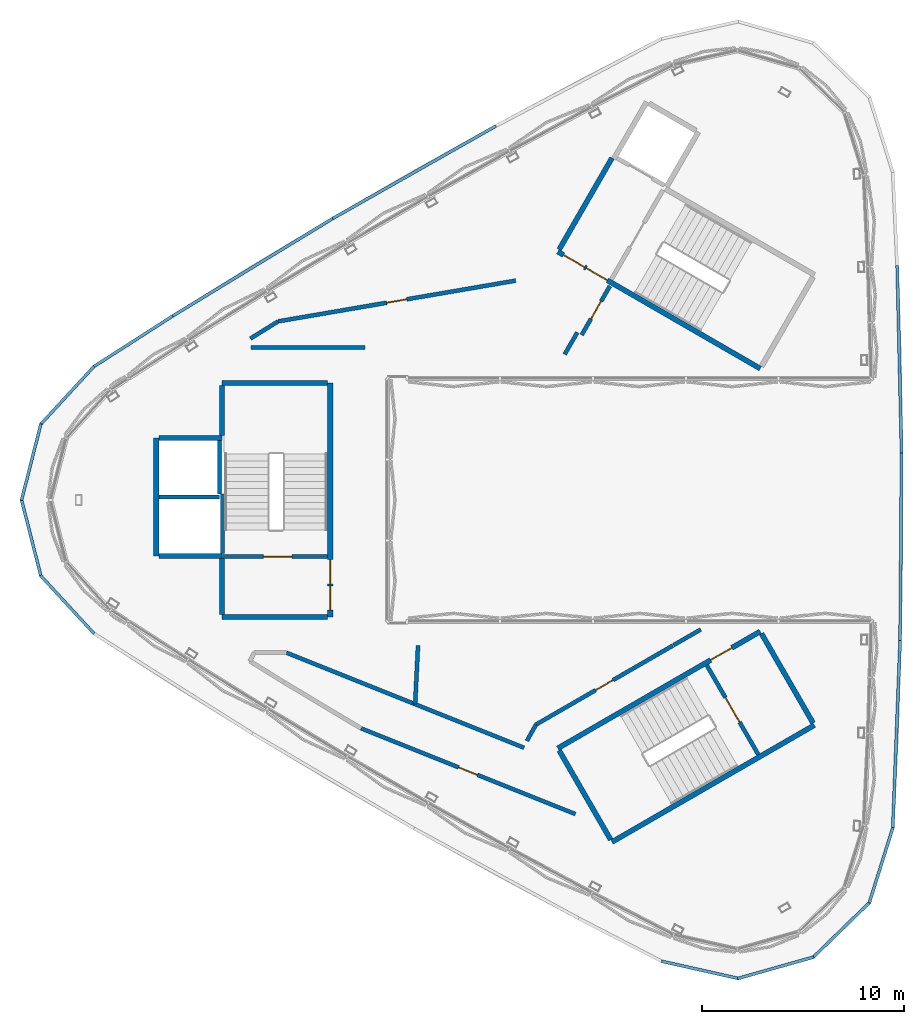
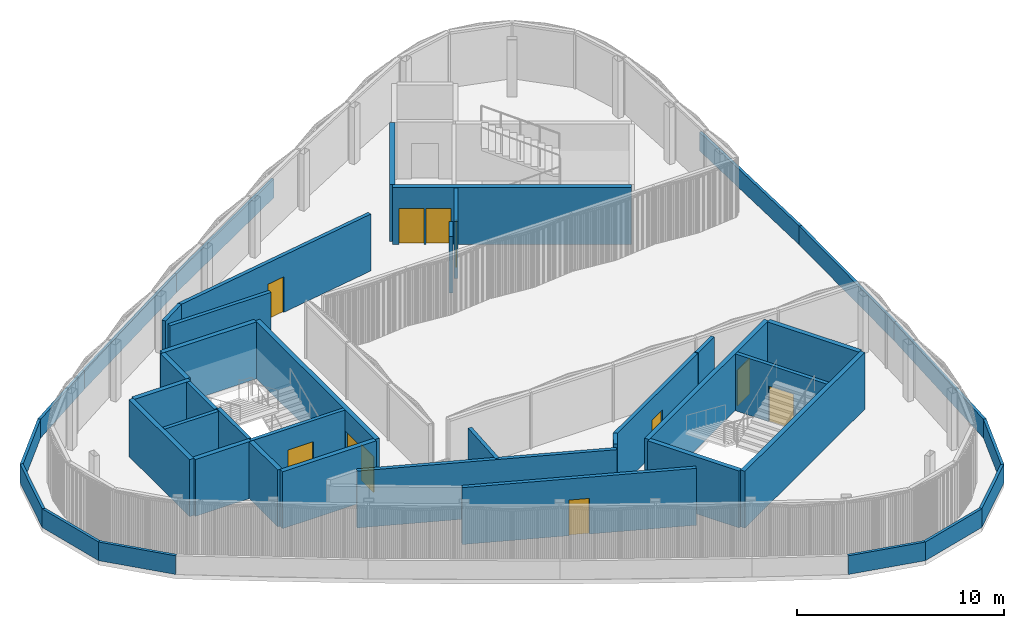
# One storey, part 7 of 16: 44 walls, 11 doors, 11 openings.
"""IFC4 building model written with IfcOpenShell, lengths in metres."""

import ifcopenshell
import ifcopenshell.guid

model = None  # the IFC model being written
_history = None  # IfcOwnerHistory: only IFC2X3 demands one
_inside = {}  # id of a spatial element -> (the spatial element, [elements in it])
_under = {}  # id of a project, library or spatial element -> (it, [spatial elements below it])
_declared = {}  # id of a project -> (the project, [libraries it declares])
_typed = {}  # id of a type object -> (the type object, [elements of that type])
_made_of = {}  # id of a material, layer set ... -> (it, [elements and type objects made of it])


def new_model(schema):
    """Start an empty IFC model of exactly this schema.

    Asked for "IFC4X3", IfcOpenShell would pick the latest addendum, in which some entities
    have other attributes; the version numbers below select the first issue.
    IFC2X3 requires an IfcOwnerHistory on every rooted entity: one is made here for all.
    """
    global model, _history
    if schema == "IFC4X3":
        model = ifcopenshell.file(schema_version=(4, 3, 0, 0))
    else:
        model = ifcopenshell.file(schema=schema)
    _inside.clear()
    _under.clear()
    _declared.clear()
    _typed.clear()
    _made_of.clear()
    _history = None
    if model.schema == "IFC2X3":
        org = make("IfcOrganization", Name="unknown")
        user = make(
            "IfcPersonAndOrganization",
            ThePerson=make("IfcPerson", FamilyName="unknown"),
            TheOrganization=org,
        )
        app = make(
            "IfcApplication",
            ApplicationDeveloper=org,
            Version="unknown",
            ApplicationFullName="unknown",
            ApplicationIdentifier="unknown",
        )
        _history = make(
            "IfcOwnerHistory",
            OwningUser=user,
            OwningApplication=app,
            ChangeAction="ADDED",
            CreationDate=0,
        )
    return model


def make(cls, **values):
    """One entity of the class cls with the attributes given. An attribute that is None is left unset."""
    return model.create_entity(
        cls, **{name: value for name, value in values.items() if value is not None}
    )


def rooted(cls, **values):
    """An entity with a GlobalId (a new one), such as an element, a storey or a relation."""
    return make(cls, GlobalId=ifcopenshell.guid.new(), OwnerHistory=_history, **values)


def si_unit(unit_type, name, prefix=None):
    """IfcSIUnit, for example si_unit("LENGTHUNIT", "METRE", prefix="MILLI")."""
    return make("IfcSIUnit", UnitType=unit_type, Prefix=prefix, Name=name)


def assignment(units):
    """IfcUnitAssignment: the units of a project."""
    return None if units is None else make("IfcUnitAssignment", Units=units)


def point(xyz):
    """IfcCartesianPoint."""
    return None if xyz is None else make("IfcCartesianPoint", Coordinates=xyz)


def direction(xyz):
    """IfcDirection."""
    return None if xyz is None else make("IfcDirection", DirectionRatios=xyz)


def frame(location, z_axis=None, x_axis=None):
    """IfcAxis2Placement3D, a coordinate frame: its origin and axes. An axis left out is left unset."""
    return make(
        "IfcAxis2Placement3D",
        Location=point(location),
        Axis=direction(z_axis),
        RefDirection=direction(x_axis),
    )


def frame_2d(location, x_axis=None):
    """IfcAxis2Placement2D, a coordinate frame in the plane: its origin and x axis."""
    return make(
        "IfcAxis2Placement2D", Location=point(location), RefDirection=direction(x_axis)
    )


def origin():
    """The frame at (0, 0, 0) with its axes left unset."""
    return frame((0.0, 0.0, 0.0))


def place(relative_to, where):
    """IfcLocalPlacement: puts the frame where relative to a parent placement (None: the world)."""
    return make(
        "IfcLocalPlacement", PlacementRelTo=relative_to, RelativePlacement=where
    )


def context(
    kind, dimensions, precision=None, world=None, true_north=None, identifier=None
):
    """IfcGeometricRepresentationContext, for example the 3D "Model" context."""
    return make(
        "IfcGeometricRepresentationContext",
        ContextIdentifier=identifier,
        ContextType=kind,
        CoordinateSpaceDimension=dimensions,
        Precision=precision,
        WorldCoordinateSystem=world,
        TrueNorth=true_north,
    )


def subcontext(parent, identifier, kind, view, scale=None):
    """IfcGeometricRepresentationSubContext, for example "Body" below "Model"."""
    return make(
        "IfcGeometricRepresentationSubContext",
        ContextIdentifier=identifier,
        ContextType=kind,
        ParentContext=parent,
        TargetScale=scale,
        TargetView=view,
    )


def project(units=None, contexts=None):
    """IfcProject with its units and contexts."""
    return rooted(
        "IfcProject",
        Name="project",
        RepresentationContexts=contexts,
        UnitsInContext=assignment(units),
    )


def spatial(cls, under=None, at=None, **own):
    """A site, building, storey or space (cls), placed at a placement, below another one or the project."""
    s = rooted(cls, ObjectPlacement=at, **own)
    if under is not None:
        _under.setdefault(under.id(), (under, []))[1].append(s)
    return s


def profile(cls, at=None, kind="AREA", **sizes):
    """A parametric profile (cls). Its sizes go by their IFC names, for example OverallWidth=200.0."""
    return make(cls, ProfileType=kind, Position=at, **sizes)


def rectangle(**sizes):
    """IfcRectangleProfileDef."""
    return profile("IfcRectangleProfileDef", **sizes)


def extrude(swept, where, along, depth):
    """IfcExtrudedAreaSolid: the profile swept, set in the frame where, extruded along a direction by depth."""
    return make(
        "IfcExtrudedAreaSolid",
        SweptArea=swept,
        Position=where,
        ExtrudedDirection=direction(along),
        Depth=depth,
    )


def shape(context_of_items, identifier, shape_type, items):
    """IfcShapeRepresentation: the items that make up one representation, for example the "Body"."""
    return make(
        "IfcShapeRepresentation",
        ContextOfItems=context_of_items,
        RepresentationIdentifier=identifier,
        RepresentationType=shape_type,
        Items=items,
    )


def material(Name=None, Category=None):
    """IfcMaterial."""
    return make("IfcMaterial", Name=Name, Category=Category)


def layer(
    of_material, thickness, ventilated=None, Name=None, Category=None, Priority=None
):
    """IfcMaterialLayer: one layer of a wall or slab, of a material (None: an air gap)."""
    return make(
        "IfcMaterialLayer",
        Material=of_material,
        LayerThickness=thickness,
        IsVentilated=ventilated,
        Name=Name,
        Category=Category,
        Priority=Priority,
    )


def layer_set(layers, Name=None):
    """IfcMaterialLayerSet."""
    return make("IfcMaterialLayerSet", MaterialLayers=layers, LayerSetName=Name)


def made_of(thing, what):
    """Note that an element or type object is made of a material, layer set ...; save() writes the relation."""
    if what is not None:
        _made_of.setdefault(what.id(), (what, []))[1].append(thing)
    return thing


def type_object(cls, material=None, **own):
    """A type object (cls), such as IfcWallType, which elements share."""
    return made_of(rooted(cls, **own), material)


def element(
    cls,
    number,
    at=None,
    inside=None,
    cuts=None,
    type_object=None,
    material=None,
    context=None,
    identifier="Body",
    shape_type=None,
    held_by="IfcProductDefinitionShape",
    body=None,
    shapes=None,
    **own,
):
    """One element of the class cls, such as IfcWall. Its Tag is "e" and its number.

    at: its placement. inside: the storey or other place that contains it. cuts: it is an
    opening in that element (IfcRelVoidsElement). A single representation is given by context,
    identifier, shape_type and body (its items); several are given by shapes. held_by: the class
    of the entity that holds the representations. save() writes the other relations.
    """
    e = rooted(cls, Tag="e%d" % number, ObjectPlacement=at, **own)
    if body is not None:
        shapes = [shape(context, identifier, shape_type, body)]
    if shapes is not None:
        e.Representation = make(held_by, Representations=shapes)
    if inside is not None:
        _inside.setdefault(inside.id(), (inside, []))[1].append(e)
    if cuts is not None:
        rooted(
            "IfcRelVoidsElement", RelatingBuildingElement=cuts, RelatedOpeningElement=e
        )
    if type_object is not None:
        _typed.setdefault(type_object.id(), (type_object, []))[1].append(e)
    return made_of(e, material)


def fill(opening, filler):
    """IfcRelFillsElement: the door or window that sits in an opening."""
    return rooted(
        "IfcRelFillsElement",
        RelatingOpeningElement=opening,
        RelatedBuildingElement=filler,
    )


def aggregate(whole, parts):
    """IfcRelAggregates: a whole, such as a stair, and the parts it consists of."""
    return rooted("IfcRelAggregates", RelatingObject=whole, RelatedObjects=parts)


def save(model, path):
    """Write the relations noted so far, then the file.

    IfcRelAggregates (storeys below a building ...), IfcRelContainedInSpatialStructure (elements
    in a storey), IfcRelDefinesByType, IfcRelAssociatesMaterial and IfcRelDeclares: one each for
    every whole, place, type object, material and project.
    """
    for whole, parts in _under.values():
        aggregate(whole, parts)
    for where, things in _inside.values():
        rooted(
            "IfcRelContainedInSpatialStructure",
            RelatedElements=things,
            RelatingStructure=where,
        )
    for kind, things in _typed.values():
        rooted("IfcRelDefinesByType", RelatedObjects=things, RelatingType=kind)
    for what, things in _made_of.values():
        rooted("IfcRelAssociatesMaterial", RelatedObjects=things, RelatingMaterial=what)
    for by, libraries in _declared.values():
        rooted("IfcRelDeclares", RelatingContext=by, RelatedDefinitions=libraries)
    model.write(path)


model = new_model("IFC4")

# Units and contexts
model_context = context("Model", 3, precision=1e-05, world=origin(), true_north=direction((0.0, 1.0)))
body_context = subcontext(model_context, "Body", "Model", "MODEL_VIEW")
ifc_project = project(units=[si_unit("LENGTHUNIT", "METRE"), si_unit("AREAUNIT", "SQUARE_METRE"), si_unit("VOLUMEUNIT", "CUBIC_METRE"), si_unit("PLANEANGLEUNIT", "RADIAN"), si_unit("MASSUNIT", "GRAM", prefix="KILO")], contexts=[model_context])

# Site, building, storey
site_placement = place(None, origin())
site = spatial("IfcSite", under=ifc_project, at=site_placement, CompositionType="ELEMENT")
building_placement = place(site_placement, origin())
building = spatial("IfcBuilding", under=site, at=building_placement, Name="Tamra Quay Hotel Tower", CompositionType="ELEMENT")
storey_placement = place(building_placement, frame((0.0, 0.0, 320.60009765625)))
storey = spatial("IfcBuildingStorey", under=building, at=storey_placement, Name="Roof crown 1", CompositionType="ELEMENT", Elevation=320.60009765625)

# Wall, opening, door
ifc_material_1 = material(Name="Concrete M70", Category="concrete")
ifc_layer_1 = layer(ifc_material_1, 0.199951171875)
ifc_layer_set_1 = layer_set([ifc_layer_1], Name="Concrete M70 core wall 200")
wall_type_1 = type_object("IfcWallType", Name="Concrete M70 core wall 200", PredefinedType="SHEAR", material=ifc_layer_set_1)
wall_1_placement = place(storey_placement, frame((-10.96337890625, -2.800048828125, 0.0), z_axis=(0.0, 0.0, 1.0), x_axis=(-1.0, 0.0, 0.0)))
wall_1 = element("IfcWall", 1, at=wall_1_placement, inside=storey, type_object=wall_type_1, Name="CW2", PredefinedType="SHEAR", context=body_context, shape_type="SweptSolid", body=[
    extrude(rectangle(XDim=5.19873046875, YDim=0.199951171875, at=frame_2d((2.599365234375, 0.0))), origin(), (0.0, 0.0, 1.0), 3.349853515625),
])
opening_1_placement = place(wall_1_placement, frame((1.77392578125, 0.0, 0.0)))
opening_1 = element("IfcOpeningElement", 2, at=opening_1_placement, cuts=wall_1, Name="Opening FD2", PredefinedType="OPENING", context=body_context, shape_type="SweptSolid", body=[
    extrude(rectangle(XDim=1.39990234375, YDim=2.10009765625, at=frame_2d((0.699951171875, 1.050048828125))), frame((0.0, 0.10986328125, 0.0), z_axis=(0.0, -1.0, 0.0), x_axis=(1.0, 0.0, 0.0)), (0.0, 0.0, 1.0), 0.219970703125),
])
ifc_material_2 = material(Name="Core door FD2 1400x2100 RH")
door_type_1 = type_object("IfcDoorType", Name="Core door FD2 1400x2100 RH", OperationType="NOTDEFINED", PredefinedType="DOOR", material=ifc_material_2)
door_1_placement = place(opening_1_placement, origin())
door_1 = element("IfcDoor", 3, at=door_1_placement, inside=storey, type_object=door_type_1, Name="FD2", OperationType="SINGLE_SWING_RIGHT", OverallHeight=2.10009765625, OverallWidth=1.39990234375, PredefinedType="DOOR", context=body_context, shape_type="SweptSolid", body=[
    extrude(rectangle(XDim=1.39990234375, YDim=2.10009765625, at=frame_2d((0.699951171875, 1.050048828125))), frame((0.0, 0.02490234375, 0.0), z_axis=(0.0, -1.0, 0.0), x_axis=(1.0, 0.0, 0.0)), (0.0, 0.0, 1.0), 0.050048828125),
])
fill(opening_1, door_1)

# Walls
wall_2_placement = place(storey_placement, frame((-16.162109375, 0.300048828125, 0.0), z_axis=(0.0, 0.0, 1.0), x_axis=(0.0, -1.0, 0.0)))
element("IfcWall", 4, at=wall_2_placement, inside=storey, type_object=wall_type_1, Name="CW2", PredefinedType="SHEAR", context=body_context, shape_type="SweptSolid", body=[
    extrude(rectangle(XDim=2.95068359375, YDim=0.199951171875, at=frame_2d((1.475341796875, 0.0))), origin(), (0.0, 0.0, 1.0), 3.349853515625),
])
wall_3_placement = place(storey_placement, frame((-16.312255859375, 0.14990234375, 0.0), z_axis=(0.0, 0.0, 1.0), x_axis=(-1.0, 0.0, 0.0)))
element("IfcWall", 5, at=wall_3_placement, inside=storey, type_object=wall_type_1, Name="CW2", PredefinedType="SHEAR", context=body_context, shape_type="SweptSolid", body=[
    extrude(rectangle(XDim=2.9990234375, YDim=0.199951171875, at=frame_2d((1.49951171875, 0.0))), origin(), (0.0, 0.0, 1.0), 3.349853515625),
])
wall_4_placement = place(storey_placement, frame((-16.312255859375, 2.948974609375, 0.0), z_axis=(0.0, 0.0, 1.0), x_axis=(0.0, -1.0, 0.0)))
element("IfcWall", 6, at=wall_4_placement, inside=storey, type_object=wall_type_1, Name="CW2", PredefinedType="SHEAR", context=body_context, shape_type="SweptSolid", body=[
    extrude(rectangle(XDim=2.65087890625, YDim=0.199951171875, at=frame_2d((1.325439453125, 0.0))), origin(), (0.0, 0.0, 1.0), 3.349853515625),
])

# Wall, opening, door
wall_5_placement = place(storey_placement, frame((7.776611328125, -8.16943359375, 0.0), z_axis=(0.0, 0.0, 1.0), x_axis=(0.500007101845, -0.866021303493, 0.0)))
wall_5 = element("IfcWall", 7, at=wall_5_placement, inside=storey, type_object=wall_type_1, Name="CW2", PredefinedType="SHEAR", context=body_context, shape_type="SweptSolid", body=[
    extrude(rectangle(XDim=5.09814453125, YDim=0.199951171875, at=frame_2d((2.549072265625, 0.0))), origin(), (0.0, 0.0, 1.0), 3.349853515625),
])
opening_2_placement = place(wall_5_placement, frame((1.84912109375, 0.0, 0.0)))
opening_2 = element("IfcOpeningElement", 8, at=opening_2_placement, cuts=wall_5, Name="Opening FD2", PredefinedType="OPENING", context=body_context, shape_type="SweptSolid", body=[
    extrude(rectangle(XDim=1.39990234375, YDim=2.10009765625, at=frame_2d((0.699951171875, 1.050048828125))), frame((0.0, 0.10986328125, 0.0), z_axis=(0.0, -1.0, 0.0), x_axis=(1.0, 0.0, 0.0)), (0.0, 0.0, 1.0), 0.219970703125),
])
door_2_placement = place(opening_2_placement, origin())
door_2 = element("IfcDoor", 9, at=door_2_placement, inside=storey, type_object=door_type_1, Name="FD2", OperationType="SINGLE_SWING_RIGHT", OverallHeight=2.10009765625, OverallWidth=1.39990234375, PredefinedType="DOOR", context=body_context, shape_type="SweptSolid", body=[
    extrude(rectangle(XDim=1.39990234375, YDim=2.10009765625, at=frame_2d((0.699951171875, 1.050048828125))), frame((0.0, 0.02490234375, 0.0), z_axis=(0.0, -1.0, 0.0), x_axis=(1.0, 0.0, 0.0)), (0.0, 0.0, 1.0), 0.050048828125),
])
fill(opening_2, door_2)

# Wall, openings, doors
ifc_layer_2 = layer(ifc_material_1, 0.25)
ifc_layer_set_2 = layer_set([ifc_layer_2], Name="Concrete M70 core wall 250")
wall_type_2 = type_object("IfcWallType", Name="Concrete M70 core wall 250", PredefinedType="SHEAR", material=ifc_layer_set_2)
wall_6_placement = place(storey_placement, frame((-10.83740234375, 5.77490234375, 0.0), z_axis=(0.0, 0.0, 1.0), x_axis=(0.0, -1.0, 0.0)))
wall_6 = element("IfcWall", 10, at=wall_6_placement, inside=storey, type_object=wall_type_2, Name="CW1", PredefinedType="SHEAR", context=body_context, shape_type="SweptSolid", body=[
    extrude(rectangle(XDim=11.5498046875, YDim=0.25, at=frame_2d((5.77490234375, 0.0))), origin(), (0.0, 0.0, 1.0), 3.349853515625),
])
opening_3_placement = place(wall_6_placement, frame((10.02490234375, 0.0, 0.0)))
opening_3 = element("IfcOpeningElement", 11, at=opening_3_placement, cuts=wall_6, Name="Opening FD1", PredefinedType="OPENING", context=body_context, shape_type="SweptSolid", body=[
    extrude(rectangle(XDim=1.199951171875, YDim=2.10009765625, at=frame_2d((0.60009765625, 1.050048828125))), frame((0.0, 0.135009765625, 0.0), z_axis=(0.0, -1.0, 0.0), x_axis=(1.0, 0.0, 0.0)), (0.0, 0.0, 1.0), 0.27001953125),
])
opening_4_placement = place(wall_6_placement, frame((8.72509765625, 0.0, 0.0)))
opening_4 = element("IfcOpeningElement", 12, at=opening_4_placement, cuts=wall_6, Name="Opening FD1", PredefinedType="OPENING", context=body_context, shape_type="SweptSolid", body=[
    extrude(rectangle(XDim=1.199951171875, YDim=2.10009765625, at=frame_2d((0.60009765625, 1.050048828125))), frame((0.0, 0.135009765625, 0.0), z_axis=(0.0, -1.0, 0.0), x_axis=(1.0, 0.0, 0.0)), (0.0, 0.0, 1.0), 0.27001953125),
])
ifc_material_3 = material(Name="Core door FD1 1200x2100 LH")
door_type_2 = type_object("IfcDoorType", Name="Core door FD1 1200x2100 LH", OperationType="NOTDEFINED", PredefinedType="DOOR", material=ifc_material_3)
door_3_placement = place(opening_3_placement, origin())
door_3 = element("IfcDoor", 13, at=door_3_placement, inside=storey, type_object=door_type_2, Name="FD1", OperationType="SINGLE_SWING_LEFT", OverallHeight=2.10009765625, OverallWidth=1.199951171875, PredefinedType="DOOR", context=body_context, shape_type="SweptSolid", body=[
    extrude(rectangle(XDim=1.199951171875, YDim=2.10009765625, at=frame_2d((0.60009765625, 1.050048828125))), frame((0.0, 0.02490234375, 0.0), z_axis=(0.0, -1.0, 0.0), x_axis=(1.0, 0.0, 0.0)), (0.0, 0.0, 1.0), 0.050048828125),
])
fill(opening_3, door_3)
ifc_material_4 = material(Name="Core door FD1 1200x2100 RH")
door_type_3 = type_object("IfcDoorType", Name="Core door FD1 1200x2100 RH", OperationType="NOTDEFINED", PredefinedType="DOOR", material=ifc_material_4)
door_4_placement = place(opening_4_placement, origin())
door_4 = element("IfcDoor", 14, at=door_4_placement, inside=storey, type_object=door_type_3, Name="FD1", OperationType="SINGLE_SWING_RIGHT", OverallHeight=2.10009765625, OverallWidth=1.199951171875, PredefinedType="DOOR", context=body_context, shape_type="SweptSolid", body=[
    extrude(rectangle(XDim=1.199951171875, YDim=2.10009765625, at=frame_2d((0.60009765625, 1.050048828125))), frame((0.0, 0.02490234375, 0.0), z_axis=(0.0, -1.0, 0.0), x_axis=(1.0, 0.0, 0.0)), (0.0, 0.0, 1.0), 0.050048828125),
])
fill(opening_4, door_4)

# Walls
wall_7_placement = place(storey_placement, frame((-19.437255859375, -2.77490234375, 0.0), z_axis=(0.0, 0.0, 1.0), x_axis=(0.0, 1.0, 0.0)))
element("IfcWall", 15, at=wall_7_placement, inside=storey, type_object=wall_type_2, Name="CW1", PredefinedType="SHEAR", context=body_context, shape_type="SweptSolid", body=[
    extrude(rectangle(XDim=5.849853515625, YDim=0.25, at=frame_2d((2.9248046875, 0.0))), origin(), (0.0, 0.0, 1.0), 3.349853515625),
])
for number, where, z_axis, x_axis, name in (
    (16, (-10.962646484375, -5.77490234375, 0.0), (0.0, 0.0, 1.0), (-1.0, 0.0, 0.0), "CW1"),
    (17, (-16.187255859375, 5.77490234375, 0.0), (0.0, 0.0, 1.0), (1.0, 0.0, 0.0), "CW1"),
):
    element("IfcWall", number, at=place(storey_placement, frame(where, z_axis=z_axis, x_axis=x_axis)), inside=storey, type_object=wall_type_2, Name=name, PredefinedType="SHEAR", context=body_context, shape_type="SweptSolid", body=[
        extrude(rectangle(XDim=5.224609375, YDim=0.25, at=frame_2d((2.6123046875, 0.0))), origin(), (0.0, 0.0, 1.0), 3.349853515625),
    ])
for number, where, z_axis, x_axis, name in (
    (18, (-16.187255859375, -2.77490234375, 0.0), (0.0, 0.0, 1.0), (-1.0, 0.0, 0.0), "CW1"),
    (19, (-19.311767578125, 3.074951171875, 0.0), (0.0, 0.0, 1.0), (1.0, 0.0, 0.0), "CW1"),
):
    element("IfcWall", number, at=place(storey_placement, frame(where, z_axis=z_axis, x_axis=x_axis)), inside=storey, type_object=wall_type_2, Name=name, PredefinedType="SHEAR", context=body_context, shape_type="SweptSolid", body=[
        extrude(rectangle(XDim=3.12451171875, YDim=0.25, at=frame_2d((1.562255859375, 0.0))), origin(), (0.0, 0.0, 1.0), 3.349853515625),
    ])
wall_8_placement = place(storey_placement, frame((-16.187255859375, -5.649658203125, 0.0), z_axis=(0.0, 0.0, 1.0), x_axis=(0.0, 1.0, 0.0)))
element("IfcWall", 20, at=wall_8_placement, inside=storey, type_object=wall_type_2, Name="CW1", PredefinedType="SHEAR", context=body_context, shape_type="SweptSolid", body=[
    extrude(rectangle(XDim=2.749267578125, YDim=0.25, at=frame_2d((1.37451171875, 0.0))), origin(), (0.0, 0.0, 1.0), 3.349853515625),
])
wall_9_placement = place(storey_placement, frame((-16.187255859375, 3.200439453125, 0.0), z_axis=(0.0, 0.0, 1.0), x_axis=(0.0, 1.0, 0.0)))
element("IfcWall", 21, at=wall_9_placement, inside=storey, type_object=wall_type_2, Name="CW1", PredefinedType="SHEAR", context=body_context, shape_type="SweptSolid", body=[
    extrude(rectangle(XDim=2.44921875, YDim=0.25, at=frame_2d((1.224609375, 0.0))), origin(), (0.0, 0.0, 1.0), 3.349853515625),
])

# Wall, openings, doors
wall_10_placement = place(storey_placement, frame((10.419921875, 6.497802734375, 0.0), z_axis=(0.0, 0.0, 1.0), x_axis=(-0.866021906294, 0.500006057782, 0.0)))
wall_10 = element("IfcWall", 22, at=wall_10_placement, inside=storey, type_object=wall_type_2, Name="CW1", PredefinedType="SHEAR", context=body_context, shape_type="SweptSolid", body=[
    extrude(rectangle(XDim=11.550048828125, YDim=0.25, at=frame_2d((5.77490234375, 0.0))), origin(), (0.0, 0.0, 1.0), 3.349853515625),
])
opening_5_placement = place(wall_10_placement, frame((10.02490234375, 0.0, 0.0)))
opening_5 = element("IfcOpeningElement", 23, at=opening_5_placement, cuts=wall_10, Name="Opening FD1", PredefinedType="OPENING", context=body_context, shape_type="SweptSolid", body=[
    extrude(rectangle(XDim=1.199951171875, YDim=2.10009765625, at=frame_2d((0.60009765625, 1.050048828125))), frame((0.0, 0.135009765625, 0.0), z_axis=(0.0, -1.0, 0.0), x_axis=(1.0, 0.0, 0.0)), (0.0, 0.0, 1.0), 0.27001953125),
])
opening_6_placement = place(wall_10_placement, frame((8.724853515625, 0.0, 0.0)))
opening_6 = element("IfcOpeningElement", 24, at=opening_6_placement, cuts=wall_10, Name="Opening FD1", PredefinedType="OPENING", context=body_context, shape_type="SweptSolid", body=[
    extrude(rectangle(XDim=1.199951171875, YDim=2.10009765625, at=frame_2d((0.60009765625, 1.050048828125))), frame((0.0, 0.135009765625, 0.0), z_axis=(0.0, -1.0, 0.0), x_axis=(1.0, 0.0, 0.0)), (0.0, 0.0, 1.0), 0.27001953125),
])
door_5_placement = place(opening_5_placement, origin())
door_5 = element("IfcDoor", 25, at=door_5_placement, inside=storey, type_object=door_type_2, Name="FD1", OperationType="SINGLE_SWING_LEFT", OverallHeight=2.10009765625, OverallWidth=1.199951171875, PredefinedType="DOOR", context=body_context, shape_type="SweptSolid", body=[
    extrude(rectangle(XDim=1.199951171875, YDim=2.10009765625, at=frame_2d((0.60009765625, 1.050048828125))), frame((0.0, 0.02490234375, 0.0), z_axis=(0.0, -1.0, 0.0), x_axis=(1.0, 0.0, 0.0)), (0.0, 0.0, 1.0), 0.050048828125),
])
fill(opening_5, door_5)
door_6_placement = place(opening_6_placement, origin())
door_6 = element("IfcDoor", 26, at=door_6_placement, inside=storey, type_object=door_type_3, Name="FD1", OperationType="SINGLE_SWING_RIGHT", OverallHeight=2.10009765625, OverallWidth=1.199951171875, PredefinedType="DOOR", context=body_context, shape_type="SweptSolid", body=[
    extrude(rectangle(XDim=1.199951171875, YDim=2.10009765625, at=frame_2d((0.60009765625, 1.050048828125))), frame((0.0, 0.02490234375, 0.0), z_axis=(0.0, -1.0, 0.0), x_axis=(1.0, 0.0, 0.0)), (0.0, 0.0, 1.0), 0.050048828125),
])
fill(opening_6, door_6)

# Wall
wall_11_placement = place(storey_placement, frame((0.47998046875, 12.38134765625, 0.0), z_axis=(0.0, 0.0, 1.0), x_axis=(0.49999885962, 0.866026062182, 0.0)))
element("IfcWall", 27, at=wall_11_placement, inside=storey, type_object=wall_type_2, Name="CW1", PredefinedType="SHEAR", context=body_context, shape_type="SweptSolid", body=[
    extrude(rectangle(XDim=5.224609375, YDim=0.25, at=frame_2d((2.6123046875, 0.0))), origin(), (0.0, 0.0, 1.0), 3.349853515625),
])

# Wall, opening, door
wall_12_placement = place(storey_placement, frame((0.417236328125, -12.27294921875, 0.0), z_axis=(0.0, 0.0, 1.0), x_axis=(0.866021906294, 0.500006057782, 0.0)))
wall_12 = element("IfcWall", 28, at=wall_12_placement, inside=storey, type_object=wall_type_2, Name="CW1", PredefinedType="SHEAR", context=body_context, shape_type="SweptSolid", body=[
    extrude(rectangle(XDim=11.550048828125, YDim=0.25, at=frame_2d((5.77490234375, 0.0))), origin(), (0.0, 0.0, 1.0), 3.349853515625),
])
opening_7_placement = place(wall_12_placement, frame((8.725341796875, 0.0, 0.0)))
opening_7 = element("IfcOpeningElement", 29, at=opening_7_placement, cuts=wall_12, Name="Opening FD1", PredefinedType="OPENING", context=body_context, shape_type="SweptSolid", body=[
    extrude(rectangle(XDim=1.199951171875, YDim=2.10009765625, at=frame_2d((0.60009765625, 1.050048828125))), frame((0.0, 0.135009765625, 0.0), z_axis=(0.0, -1.0, 0.0), x_axis=(1.0, 0.0, 0.0)), (0.0, 0.0, 1.0), 0.27001953125),
])
door_7_placement = place(opening_7_placement, origin())
door_7 = element("IfcDoor", 30, at=door_7_placement, inside=storey, type_object=door_type_2, Name="FD1", OperationType="SINGLE_SWING_LEFT", OverallHeight=2.10009765625, OverallWidth=1.199951171875, PredefinedType="DOOR", context=body_context, shape_type="SweptSolid", body=[
    extrude(rectangle(XDim=1.199951171875, YDim=2.10009765625, at=frame_2d((0.60009765625, 1.050048828125))), frame((0.0, 0.02490234375, 0.0), z_axis=(0.0, -1.0, 0.0), x_axis=(1.0, 0.0, 0.0)), (0.0, 0.0, 1.0), 0.050048828125),
])
fill(opening_7, door_7)

# Walls
wall_13_placement = place(storey_placement, frame((13.094970703125, -11.131103515625, 0.0), z_axis=(0.0, 0.0, 1.0), x_axis=(-0.866031059098, -0.499990204581, 0.0)))
element("IfcWall", 31, at=wall_13_placement, inside=storey, type_object=wall_type_2, Name="CW1", PredefinedType="SHEAR", context=body_context, shape_type="SweptSolid", body=[
    extrude(rectangle(XDim=11.550048828125, YDim=0.25, at=frame_2d((5.77490234375, 0.0))), origin(), (0.0, 0.0, 1.0), 3.349853515625),
])
wall_14_placement = place(storey_placement, frame((3.029541015625, -16.797607421875, 0.0), z_axis=(0.0, 0.0, 1.0), x_axis=(-0.499975258871, 0.866039687611, 0.0)))
element("IfcWall", 32, at=wall_14_placement, inside=storey, type_object=wall_type_2, Name="CW1", PredefinedType="SHEAR", context=body_context, shape_type="SweptSolid", body=[
    extrude(rectangle(XDim=5.099365234375, YDim=0.25, at=frame_2d((2.5498046875, 0.0))), origin(), (0.0, 0.0, 1.0), 3.349853515625),
])
wall_15_placement = place(storey_placement, frame((10.482666015625, -6.6064453125, 0.0), z_axis=(0.0, 0.0, 1.0), x_axis=(0.499995990076, -0.866027718903, 0.0)))
element("IfcWall", 33, at=wall_15_placement, inside=storey, type_object=wall_type_2, Name="CW1", PredefinedType="SHEAR", context=body_context, shape_type="SweptSolid", body=[
    extrude(rectangle(XDim=5.09912109375, YDim=0.25, at=frame_2d((2.549560546875, 0.0))), origin(), (0.0, 0.0, 1.0), 3.349853515625),
])
ifc_material_5 = material(Name="Reinforced concrete M60 with render", Category="concrete")
ifc_layer_3 = layer(ifc_material_5, 0.14990234375)
ifc_layer_set_3 = layer_set([ifc_layer_3], Name="PARAPET WALL 150")
wall_type_3 = type_object("IfcWallType", Name="PARAPET WALL 150", PredefinedType="PARAPET", material=ifc_layer_set_3)
wall_16_placement = place(storey_placement, frame((17.336669921875, -6.950927734375, 0.0), z_axis=(0.0, 0.0, 1.0), x_axis=(-0.039023693981, -0.99923828555, 0.0)))
element("IfcWall", 34, at=wall_16_placement, inside=storey, type_object=wall_type_3, Name="PW0", PredefinedType="PARAPET", context=body_context, shape_type="SweptSolid", body=[
    extrude(rectangle(XDim=9.271728515625, YDim=0.14990234375, at=frame_2d((4.6357421875, 0.0))), origin(), (0.0, 0.0, 1.0), 1.099853515625),
])
wall_17_placement = place(storey_placement, frame((17.4091796875, 2.31884765625, 0.0), z_axis=(0.0, 0.0, 1.0), x_axis=(-0.007819872009, -0.999969424333, 0.0)))
element("IfcWall", 35, at=wall_17_placement, inside=storey, type_object=wall_type_3, Name="PW0", PredefinedType="PARAPET", context=body_context, shape_type="SweptSolid", body=[
    extrude(rectangle(XDim=9.2724609375, YDim=0.14990234375, at=frame_2d((4.63623046875, 0.0))), origin(), (0.0, 0.0, 1.0), 1.099853515625),
])
wall_18_placement = place(storey_placement, frame((17.19189453125, 11.5849609375, 0.0), z_axis=(0.0, 0.0, 1.0), x_axis=(0.023436822641, -0.999725319948, 0.0)))
element("IfcWall", 36, at=wall_18_placement, inside=storey, type_object=wall_type_3, Name="PW0", PredefinedType="PARAPET", context=body_context, shape_type="SweptSolid", body=[
    extrude(rectangle(XDim=9.27099609375, YDim=0.14990234375, at=frame_2d((4.635498046875, 0.0))), origin(), (0.0, 0.0, 1.0), 1.099853515625),
])
wall_19_placement = place(storey_placement, frame((-10.712646484375, 13.917236328125, 0.0), z_axis=(0.0, 0.0, 1.0), x_axis=(0.869910355928, 0.49320986674, 0.0)))
element("IfcWall", 37, at=wall_19_placement, inside=storey, type_object=wall_type_3, Name="PW0", PredefinedType="PARAPET", context=body_context, shape_type="SweptSolid", body=[
    extrude(rectangle(XDim=9.2724609375, YDim=0.14990234375, at=frame_2d((4.63623046875, 0.0))), origin(), (0.0, 0.0, 1.0), 1.099853515625),
])
wall_20_placement = place(storey_placement, frame((-18.62890625, 9.095947265625, 0.0), z_axis=(0.0, 0.0, 1.0), x_axis=(0.854067842833, 0.520161628572, 0.0)))
element("IfcWall", 38, at=wall_20_placement, inside=storey, type_object=wall_type_3, Name="PW0", PredefinedType="PARAPET", context=body_context, shape_type="SweptSolid", body=[
    extrude(rectangle(XDim=9.271240234375, YDim=0.14990234375, at=frame_2d((4.6357421875, 0.0))), origin(), (0.0, 0.0, 1.0), 1.099853515625),
])
wall_21_placement = place(storey_placement, frame((-22.530029296875, 6.593017578125, 0.0), z_axis=(0.0, 0.0, 1.0), x_axis=(0.841674216511, 0.539985660236, 0.0)))
element("IfcWall", 39, at=wall_21_placement, inside=storey, type_object=wall_type_3, Name="PW0", PredefinedType="PARAPET", context=body_context, shape_type="SweptSolid", body=[
    extrude(rectangle(XDim=4.636962890625, YDim=0.14990234375, at=frame_2d((2.318359375, 0.0))), origin(), (0.0, 0.0, 1.0), 1.099853515625),
])
wall_22_placement = place(storey_placement, frame((-25.15966796875, 3.733642578125, 0.0), z_axis=(0.0, 0.0, 1.0), x_axis=(0.677362665276, 0.735649250452, 0.0)))
element("IfcWall", 40, at=wall_22_placement, inside=storey, type_object=wall_type_3, Name="PW0", PredefinedType="PARAPET", context=body_context, shape_type="SweptSolid", body=[
    extrude(rectangle(XDim=3.90380859375, YDim=0.14990234375, at=frame_2d((1.951904296875, 0.0))), origin(), (0.0, 0.0, 1.0), 1.099853515625),
])
for number, where, z_axis, x_axis, name in (
    (41, (-26.1005859375, -0.018310546875, 0.0), (0.0, 0.0, 1.0), (0.24553643765, 0.969387362093, 0.0), "PW0"),
    (42, (-25.14208984375, -3.765869140625, 0.0), (0.0, 0.0, 1.0), (-0.24553643765, 0.969387362093, 0.0), "PW0"),
):
    element("IfcWall", number, at=place(storey_placement, frame(where, z_axis=z_axis, x_axis=x_axis)), inside=storey, type_object=wall_type_3, Name=name, PredefinedType="PARAPET", context=body_context, shape_type="SweptSolid", body=[
        extrude(rectangle(XDim=3.903564453125, YDim=0.14990234375, at=frame_2d((1.95166015625, 0.0))), origin(), (0.0, 0.0, 1.0), 1.099853515625),
    ])
wall_23_placement = place(storey_placement, frame((-22.515380859375, -6.60546875, 0.0), z_axis=(0.0, 0.0, 1.0), x_axis=(-0.677362665276, 0.735649250452, 0.0)))
element("IfcWall", 43, at=wall_23_placement, inside=storey, type_object=wall_type_3, Name="PW0", PredefinedType="PARAPET", context=body_context, shape_type="SweptSolid", body=[
    extrude(rectangle(XDim=3.90380859375, YDim=0.14990234375, at=frame_2d((1.951904296875, 0.0))), origin(), (0.0, 0.0, 1.0), 1.099853515625),
])
for number, where, z_axis, x_axis, name in (
    (44, (9.346435546875, -23.65576171875, 0.0), (0.0, 0.0, 1.0), (-0.975765869861, 0.218817200452, 0.0), "PW0"),
    (45, (13.06640625, -22.5947265625, 0.0), (0.0, 0.0, 1.0), (-0.962289476883, -0.272027503538, 0.0), "PW0"),
):
    element("IfcWall", number, at=place(storey_placement, frame(where, z_axis=z_axis, x_axis=x_axis)), inside=storey, type_object=wall_type_3, Name=name, PredefinedType="PARAPET", context=body_context, shape_type="SweptSolid", body=[
        extrude(rectangle(XDim=3.904052734375, YDim=0.14990234375, at=frame_2d((1.9521484375, 0.0))), origin(), (0.0, 0.0, 1.0), 1.099853515625),
    ])
for number, where, z_axis, x_axis, name in (
    (46, (15.83251953125, -19.890869140625, 0.0), (0.0, 0.0, 1.0), (-0.716764791091, -0.697315017945, 0.0), "PW0"),
    (47, (16.97802734375, -16.196044921875, 0.0), (0.0, 0.0, 1.0), (-0.2983675743, -0.954451041493, 0.0), "PW0"),
):
    element("IfcWall", number, at=place(storey_placement, frame(where, z_axis=z_axis, x_axis=x_axis)), inside=storey, type_object=wall_type_3, Name=name, PredefinedType="PARAPET", context=body_context, shape_type="SweptSolid", body=[
        extrude(rectangle(XDim=3.90380859375, YDim=0.14990234375, at=frame_2d((1.951904296875, 0.0))), origin(), (0.0, 0.0, 1.0), 1.099853515625),
    ])
ifc_material_6 = material(Name="Partition corridor wall")
ifc_layer_4 = layer(ifc_material_6, 0.199951171875)
ifc_layer_set_4 = layer_set([ifc_layer_4], Name="Partition corridor wall")
wall_type_4 = type_object("IfcWallType", Name="Partition corridor wall", PredefinedType="PARTITIONING", material=ifc_layer_set_4)
wall_24_placement = place(storey_placement, frame((-14.781982421875, 7.98095703125, 0.0), z_axis=(0.0, 0.0, 1.0), x_axis=(0.850065227576, 0.526677423918, 0.0)))
element("IfcWall", 48, at=wall_24_placement, inside=storey, type_object=wall_type_4, Name="W-C", PredefinedType="PARTITIONING", context=body_context, shape_type="SweptSolid", body=[
    extrude(rectangle(XDim=1.614013671875, YDim=0.199951171875, at=frame_2d((0.80712890625, 0.0))), origin(), (0.0, 0.0, 1.0), 3.349853515625),
])
wall_25_placement = place(storey_placement, frame((-14.7451171875, 7.549072265625, 0.0), z_axis=(0.0, 0.0, 1.0), x_axis=(1.0, 0.0, 0.0)))
element("IfcWall", 49, at=wall_25_placement, inside=storey, type_object=wall_type_4, Name="W-C", PredefinedType="PARTITIONING", context=body_context, shape_type="SweptSolid", body=[
    extrude(rectangle(XDim=5.631103515625, YDim=0.199951171875, at=frame_2d((2.8154296875, 0.0))), origin(), (0.0, 0.0, 1.0), 3.349853515625),
])

# Wall, opening, door
wall_26_placement = place(storey_placement, frame((-13.409912109375, 8.8310546875, 0.0), z_axis=(0.0, 0.0, 1.0), x_axis=(0.985609472841, 0.169038359687, 0.0)))
wall_26 = element("IfcWall", 50, at=wall_26_placement, inside=storey, type_object=wall_type_4, Name="W-C", PredefinedType="PARTITIONING", context=body_context, shape_type="SweptSolid", body=[
    extrude(rectangle(XDim=11.908203125, YDim=0.199951171875, at=frame_2d((5.9541015625, 0.0))), origin(), (0.0, 0.0, 1.0), 3.349853515625),
])
opening_8_placement = place(wall_26_placement, frame((5.4482421875, 0.0, 0.0)))
opening_8 = element("IfcOpeningElement", 51, at=opening_8_placement, cuts=wall_26, Name="Opening Roof crown 1-D001", PredefinedType="OPENING", context=body_context, shape_type="SweptSolid", body=[
    extrude(rectangle(XDim=1.0, YDim=2.10009765625, at=frame_2d((0.5, 1.050048828125))), frame((0.0, 0.10986328125, 0.0), z_axis=(0.0, -1.0, 0.0), x_axis=(1.0, 0.0, 0.0)), (0.0, 0.0, 1.0), 0.219970703125),
])
ifc_material_7 = material(Name="Door service room 1000x2100")
door_type_4 = type_object("IfcDoorType", Name="Door service room 1000x2100", OperationType="NOTDEFINED", PredefinedType="DOOR", material=ifc_material_7)
door_8_placement = place(opening_8_placement, origin())
door_8 = element("IfcDoor", 52, at=door_8_placement, inside=storey, type_object=door_type_4, Name="Roof crown 1-D001", OperationType="SINGLE_SWING_LEFT", OverallHeight=2.10009765625, OverallWidth=1.0, PredefinedType="DOOR", context=body_context, shape_type="SweptSolid", body=[
    extrude(rectangle(XDim=1.0, YDim=2.10009765625, at=frame_2d((0.5, 1.050048828125))), frame((0.0, 0.02490234375, 0.0), z_axis=(0.0, -1.0, 0.0), x_axis=(1.0, 0.0, 0.0)), (0.0, 0.0, 1.0), 0.050048828125),
])
fill(opening_8, door_8)

# Wall
wall_27_placement = place(storey_placement, frame((-13.0029296875, -7.548828125, 0.0), z_axis=(0.0, 0.0, 1.0), x_axis=(0.928455404092, -0.371443888914, 0.0)))
element("IfcWall", 53, at=wall_27_placement, inside=storey, type_object=wall_type_4, Name="W-C", PredefinedType="PARTITIONING", context=body_context, shape_type="SweptSolid", body=[
    extrude(rectangle(XDim=12.656494140625, YDim=0.199951171875, at=frame_2d((6.328125, 0.0))), origin(), (0.0, 0.0, 1.0), 3.349853515625),
])

# Wall, opening, door
wall_28_placement = place(storey_placement, frame((-9.31201171875, -11.2900390625, 0.0), z_axis=(0.0, 0.0, 1.0), x_axis=(0.928475215366, -0.37139436513, 0.0)))
wall_28 = element("IfcWall", 54, at=wall_28_placement, inside=storey, type_object=wall_type_4, Name="W-C", PredefinedType="PARTITIONING", context=body_context, shape_type="SweptSolid", body=[
    extrude(rectangle(XDim=11.4111328125, YDim=0.199951171875, at=frame_2d((5.70556640625, 0.0))), origin(), (0.0, 0.0, 1.0), 3.349853515625),
])
opening_9_placement = place(wall_28_placement, frame((5.199951171875, 0.0, 0.0)))
opening_9 = element("IfcOpeningElement", 55, at=opening_9_placement, cuts=wall_28, Name="Opening Roof crown 1-D004", PredefinedType="OPENING", context=body_context, shape_type="SweptSolid", body=[
    extrude(rectangle(XDim=1.0, YDim=2.10009765625, at=frame_2d((0.5, 1.050048828125))), frame((0.0, 0.10986328125, 0.0), z_axis=(0.0, -1.0, 0.0), x_axis=(1.0, 0.0, 0.0)), (0.0, 0.0, 1.0), 0.219970703125),
])
door_9_placement = place(opening_9_placement, frame((1.0, 0.0, 0.0), z_axis=(0.0, 0.0, 1.0), x_axis=(-1.0, 0.0, 0.0)))
door_9 = element("IfcDoor", 56, at=door_9_placement, inside=storey, type_object=door_type_4, Name="Roof crown 1-D004", OperationType="SINGLE_SWING_LEFT", OverallHeight=2.10009765625, OverallWidth=1.0, PredefinedType="DOOR", context=body_context, shape_type="SweptSolid", body=[
    extrude(rectangle(XDim=1.0, YDim=2.10009765625, at=frame_2d((0.5, 1.050048828125))), frame((0.0, 0.02490234375, 0.0), z_axis=(0.0, -1.0, 0.0), x_axis=(1.0, 0.0, 0.0)), (0.0, 0.0, 1.0), 0.050048828125),
])
fill(opening_9, door_9)

# Wall
wall_29_placement = place(storey_placement, frame((-1.115966796875, -11.909912109375, 0.0), z_axis=(0.0, 0.0, 1.0), x_axis=(0.488193721835, 0.872735292033, 0.0)))
element("IfcWall", 57, at=wall_29_placement, inside=storey, type_object=wall_type_4, Name="W-C", PredefinedType="PARTITIONING", context=body_context, shape_type="SweptSolid", body=[
    extrude(rectangle(XDim=0.92578125, YDim=0.199951171875, at=frame_2d((0.462890625, 0.0))), origin(), (0.0, 0.0, 1.0), 3.349853515625),
])

# Wall, opening, door
wall_30_placement = place(storey_placement, frame((-0.6640625, -11.10205078125, 0.0), z_axis=(0.0, 0.0, 1.0), x_axis=(0.866039839502, 0.499974995771, 0.0)))
wall_30 = element("IfcWall", 58, at=wall_30_placement, inside=storey, type_object=wall_type_4, Name="W-C", PredefinedType="PARTITIONING", context=body_context, shape_type="SweptSolid", body=[
    extrude(rectangle(XDim=7.810546875, YDim=0.199951171875, at=frame_2d((3.9052734375, 0.0))), origin(), (0.0, 0.0, 1.0), 3.349853515625),
])
opening_10_placement = place(wall_30_placement, frame((3.3994140625, 0.0, 0.0)))
opening_10 = element("IfcOpeningElement", 59, at=opening_10_placement, cuts=wall_30, Name="Opening Roof crown 1-D003", PredefinedType="OPENING", context=body_context, shape_type="SweptSolid", body=[
    extrude(rectangle(XDim=1.0, YDim=2.10009765625, at=frame_2d((0.5, 1.050048828125))), frame((0.0, 0.10986328125, 0.0), z_axis=(0.0, -1.0, 0.0), x_axis=(1.0, 0.0, 0.0)), (0.0, 0.0, 1.0), 0.219970703125),
])
door_10_placement = place(opening_10_placement, origin())
door_10 = element("IfcDoor", 60, at=door_10_placement, inside=storey, type_object=door_type_4, Name="Roof crown 1-D003", OperationType="SINGLE_SWING_LEFT", OverallHeight=2.10009765625, OverallWidth=1.0, PredefinedType="DOOR", context=body_context, shape_type="SweptSolid", body=[
    extrude(rectangle(XDim=1.0, YDim=2.10009765625, at=frame_2d((0.5, 1.050048828125))), frame((0.0, 0.02490234375, 0.0), z_axis=(0.0, -1.0, 0.0), x_axis=(1.0, 0.0, 0.0)), (0.0, 0.0, 1.0), 0.050048828125),
])
fill(opening_10, door_10)

# Wall
wall_31_placement = place(storey_placement, frame((0.751953125, 7.199951171875, 0.0), z_axis=(0.0, 0.0, 1.0), x_axis=(0.499835134068, 0.866120568253, 0.0)))
element("IfcWall", 61, at=wall_31_placement, inside=storey, type_object=wall_type_4, Name="W-C", PredefinedType="PARTITIONING", context=body_context, shape_type="SweptSolid", body=[
    extrude(rectangle(XDim=1.25048828125, YDim=0.199951171875, at=frame_2d((0.625244140625, 0.0))), origin(), (0.0, 0.0, 1.0), 3.349853515625),
])

# Wall, opening, door
wall_32_placement = place(storey_placement, frame((1.593017578125, 8.158935546875, 0.0), z_axis=(0.0, 0.0, 1.0), x_axis=(0.500035555316, 0.86600487494, 0.0)))
wall_32 = element("IfcWall", 62, at=wall_32_placement, inside=storey, type_object=wall_type_4, Name="W-C", PredefinedType="PARTITIONING", context=body_context, shape_type="SweptSolid", body=[
    extrude(rectangle(XDim=2.789794921875, YDim=0.199951171875, at=frame_2d((1.39501953125, 0.0))), origin(), (0.0, 0.0, 1.0), 3.349853515625),
])
opening_11_placement = place(wall_32_placement, frame((0.9248046875, 0.0, 0.0)))
opening_11 = element("IfcOpeningElement", 63, at=opening_11_placement, cuts=wall_32, Name="Opening Roof crown 1-D002", PredefinedType="OPENING", context=body_context, shape_type="SweptSolid", body=[
    extrude(rectangle(XDim=1.0, YDim=2.10009765625, at=frame_2d((0.5, 1.050048828125))), frame((0.0, 0.10986328125, 0.0), z_axis=(0.0, -1.0, 0.0), x_axis=(1.0, 0.0, 0.0)), (0.0, 0.0, 1.0), 0.219970703125),
])
door_11_placement = place(opening_11_placement, frame((1.0, 0.0, 0.0), z_axis=(0.0, 0.0, 1.0), x_axis=(-1.0, 0.0, 0.0)))
door_11 = element("IfcDoor", 64, at=door_11_placement, inside=storey, type_object=door_type_4, Name="Roof crown 1-D002", OperationType="SINGLE_SWING_LEFT", OverallHeight=2.10009765625, OverallWidth=1.0, PredefinedType="DOOR", context=body_context, shape_type="SweptSolid", body=[
    extrude(rectangle(XDim=1.0, YDim=2.10009765625, at=frame_2d((0.5, 1.050048828125))), frame((0.0, 0.02490234375, 0.0), z_axis=(0.0, -1.0, 0.0), x_axis=(1.0, 0.0, 0.0)), (0.0, 0.0, 1.0), 0.050048828125),
])
fill(opening_11, door_11)

# Walls
wall_33_placement = place(storey_placement, frame((6.133056640625, -7.177978515625, 0.0), z_axis=(0.0, 0.0, 1.0), x_axis=(0.866031301401, 0.499989784889, 0.0)))
element("IfcWall", 65, at=wall_33_placement, inside=storey, type_object=wall_type_4, Name="W-C", PredefinedType="PARTITIONING", context=body_context, shape_type="SweptSolid", body=[
    extrude(rectangle(XDim=1.5546875, YDim=0.199951171875, at=frame_2d((0.77734375, 0.0))), origin(), (0.0, 0.0, 1.0), 3.349853515625),
])
ifc_material_8 = material(Name="Partition party wall")
ifc_layer_5 = layer(ifc_material_8, 0.199951171875)
ifc_layer_set_5 = layer_set([ifc_layer_5], Name="Partition party wall")
wall_type_5 = type_object("IfcWallType", Name="Partition party wall", PredefinedType="PARTITIONING", material=ifc_layer_set_5)
wall_34_placement = place(storey_placement, frame((-6.638916015625, -10.092041015625, 0.0), z_axis=(0.0, 0.0, 1.0), x_axis=(0.048987207067, 0.998799406059, 0.0)))
element("IfcWall", 66, at=wall_34_placement, inside=storey, type_object=wall_type_5, Name="W-P", PredefinedType="PARTITIONING", context=body_context, shape_type="SweptSolid", body=[
    extrude(rectangle(XDim=2.8955078125, YDim=0.199951171875, at=frame_2d((1.44775390625, 0.0))), origin(), (0.0, 0.0, 1.0), 3.349853515625),
])

save(model, "model.ifc")
